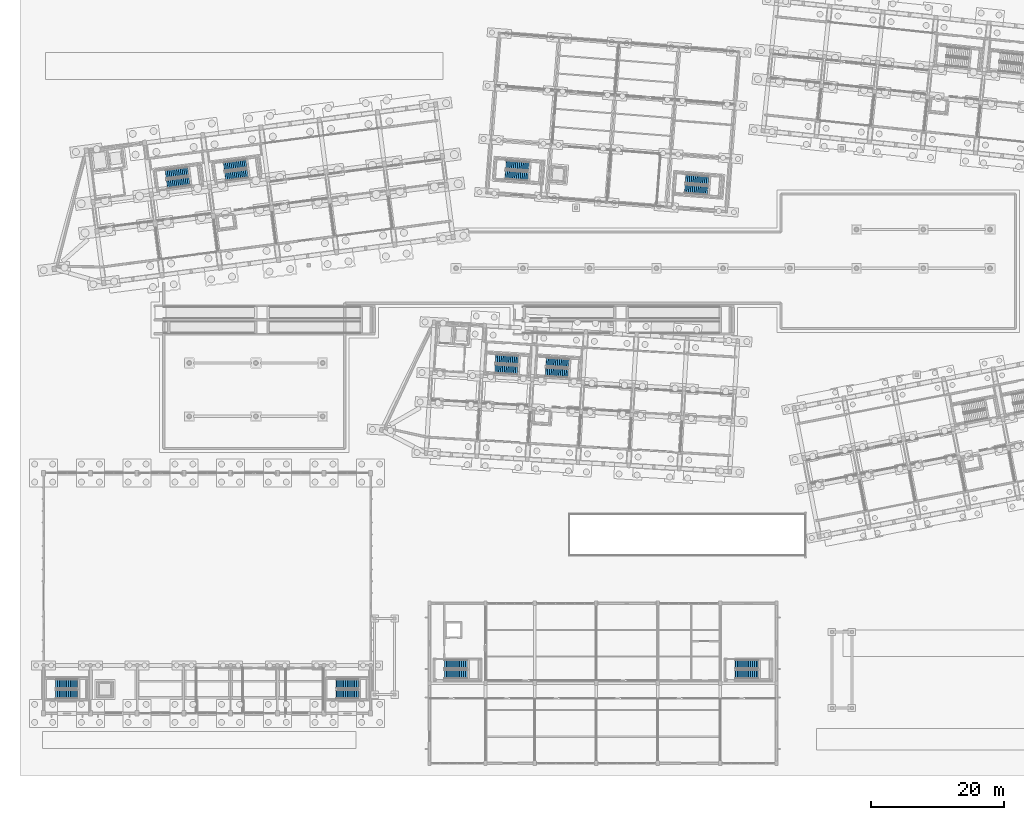
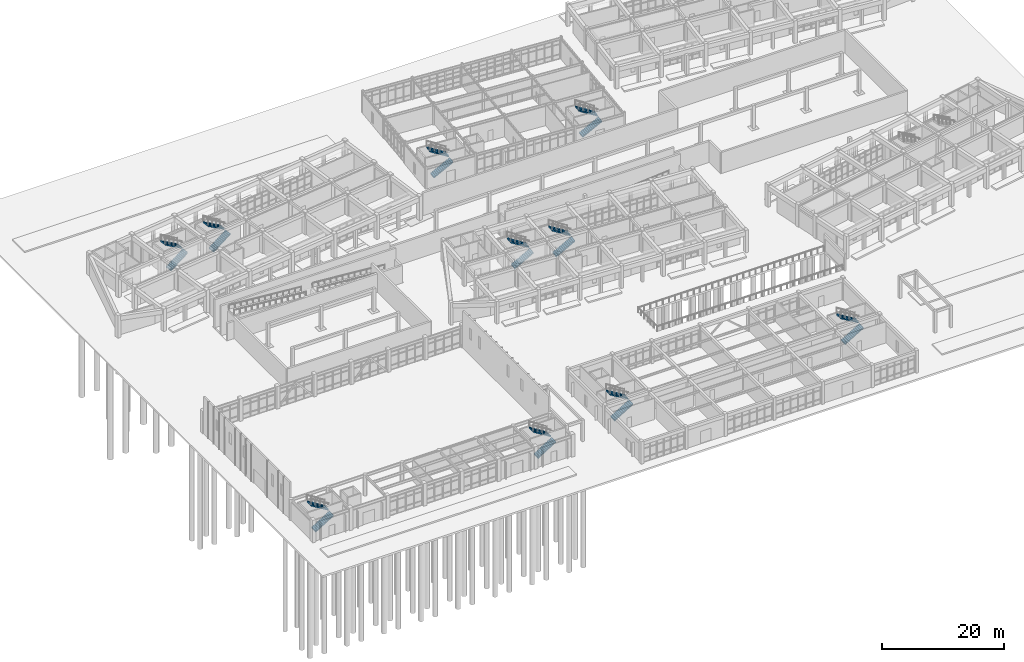
# One storey, part 131 of 154: 20 stair flights, 10 elements without a shape of their own.
"""IFC4 building model written with IfcOpenShell, lengths in metres."""

from ifc_helpers import new_model, si_unit, direction, frame, origin, place, context, subcontext, project, spatial, polyline, outline, extrude, material, type_object, element, aggregate, save


model = new_model("IFC4")

# Units and contexts
model_context = context("Model", 3, precision=1e-05, world=origin(), true_north=direction((0.0, 1.0)))
body_context = subcontext(model_context, "Body", "Model", "MODEL_VIEW")
ifc_project = project(units=[si_unit("LENGTHUNIT", "METRE"), si_unit("AREAUNIT", "SQUARE_METRE"), si_unit("VOLUMEUNIT", "CUBIC_METRE"), si_unit("PLANEANGLEUNIT", "RADIAN"), si_unit("MASSUNIT", "GRAM", prefix="KILO")], contexts=[model_context])

# Site, building, storey
site_placement = place(None, origin())
site = spatial("IfcSite", under=ifc_project, at=site_placement, CompositionType="ELEMENT")
building_placement = place(site_placement, origin())
building = spatial("IfcBuilding", under=site, at=building_placement, Name="Kestramere Prow Commons", CompositionType="ELEMENT")
storey_placement = place(building_placement, origin())
storey = spatial("IfcBuildingStorey", under=building, at=storey_placement, Name="L00", CompositionType="ELEMENT", Elevation=0.0)

# Stair, stair flights
ifc_material = material(Name="Concrete C40/50", Category="concrete")
stair_type_1 = type_object("IfcStairType", Name="ST-DOG-1350", PredefinedType="HALF_TURN_STAIR", material=ifc_material)
stair_1_placement = place(storey_placement, origin())
stair_1 = element("IfcStair", 1, at=stair_1_placement, inside=storey, type_object=stair_type_1, Name="L00 Block A Exit Stair 1", PredefinedType="HALF_TURN_STAIR")
stair_flight_type_1 = type_object("IfcStairFlightType", Name="SFL-1350", PredefinedType="STRAIGHT", material=ifc_material)
stair_flight_1_placement = place(storey_placement, frame((20.70068359375, 86.79150390625, 0.0), z_axis=(0.0, 0.0, 1.0), x_axis=(0.991444861374, 0.13052619222, 0.0)))
stair_flight_1 = element("IfcStairFlight", 2, at=stair_flight_1_placement, type_object=stair_flight_type_1, Name="ST-A1 flight 1", NumberOfRisers=13, NumberOfTreads=12, PredefinedType="STRAIGHT", RiserHeight=0.173076923, TreadLength=0.28, context=body_context, shape_type="SweptSolid", body=[
    extrude(outline(polyline([(-0.02490234375, 0.0), (0.0, 0.0), (0.0, 0.173095703125), (0.280029296875, 0.173095703125), (0.280029296875, 0.34619140625), (0.56005859375, 0.34619140625), (0.56005859375, 0.519287109375), (0.840087890625, 0.519287109375), (0.840087890625, 0.6923828125), (1.1201171875, 0.6923828125), (1.1201171875, 0.865478515625), (1.39990234375, 0.865478515625), (1.39990234375, 1.03857421875), (1.679931640625, 1.03857421875), (1.679931640625, 1.21142578125), (1.9599609375, 1.21142578125), (1.9599609375, 1.384521484375), (2.239990234375, 1.384521484375), (2.239990234375, 1.5576171875), (2.52001953125, 1.5576171875), (2.52001953125, 1.730712890625), (2.800048828125, 1.730712890625), (2.800048828125, 1.90380859375), (3.080078125, 1.90380859375), (3.080078125, 2.076904296875), (3.360107421875, 2.076904296875), (3.360107421875, 2.25), (3.385009765625, 2.25), (3.385009765625, 1.900634765625), (0.0, -0.14990234375), (-0.02490234375, -0.14990234375), (-0.02490234375, 0.0)])), frame((0.0, 0.675048828125, 0.0), z_axis=(0.0, -1.0, 0.0), x_axis=(1.0, 0.0, 0.0)), (0.0, 0.0, 1.0), 1.35009765625),
])
stair_flight_2_placement = place(storey_placement, frame((23.8359375, 88.71728515625, 2.25), z_axis=(0.0, 0.0, 1.0), x_axis=(-0.991444861374, -0.13052619222, 0.0)))
stair_flight_2 = element("IfcStairFlight", 3, at=stair_flight_2_placement, type_object=stair_flight_type_1, Name="ST-A1 flight 2", NumberOfRisers=13, NumberOfTreads=12, PredefinedType="STRAIGHT", RiserHeight=0.173076923, TreadLength=0.28, context=body_context, shape_type="SweptSolid", body=[
    extrude(outline(polyline([(-0.02490234375, 0.0), (0.0, 0.0), (0.0, 0.173095703125), (0.280029296875, 0.173095703125), (0.280029296875, 0.34619140625), (0.56005859375, 0.34619140625), (0.56005859375, 0.519287109375), (0.840087890625, 0.519287109375), (0.840087890625, 0.6923828125), (1.1201171875, 0.6923828125), (1.1201171875, 0.865478515625), (1.39990234375, 0.865478515625), (1.39990234375, 1.03857421875), (1.679931640625, 1.03857421875), (1.679931640625, 1.21142578125), (1.9599609375, 1.21142578125), (1.9599609375, 1.384521484375), (2.239990234375, 1.384521484375), (2.239990234375, 1.5576171875), (2.52001953125, 1.5576171875), (2.52001953125, 1.730712890625), (2.800048828125, 1.730712890625), (2.800048828125, 1.90380859375), (3.080078125, 1.90380859375), (3.080078125, 2.076904296875), (3.360107421875, 2.076904296875), (3.360107421875, 2.25), (3.385009765625, 2.25), (3.385009765625, 1.900634765625), (0.0, -0.14990234375), (-0.02490234375, -0.14990234375), (-0.02490234375, 0.0)])), frame((0.0, 0.675048828125, 0.0), z_axis=(0.0, -1.0, 0.0), x_axis=(1.0, 0.0, 0.0)), (0.0, 0.0, 1.0), 1.35009765625),
])
aggregate(stair_1, [stair_flight_1, stair_flight_2])

stair_2_placement = place(storey_placement, origin())
stair_2 = element("IfcStair", 4, at=stair_2_placement, inside=storey, type_object=stair_type_1, Name="L00 Block A Exit Stair 2", PredefinedType="HALF_TURN_STAIR")
stair_flight_3_placement = place(storey_placement, frame((29.42529296875, 87.940185546875, 0.0), z_axis=(0.0, 0.0, 1.0), x_axis=(0.991444861374, 0.13052619222, 0.0)))
stair_flight_3 = element("IfcStairFlight", 5, at=stair_flight_3_placement, type_object=stair_flight_type_1, Name="ST-A2 flight 1", NumberOfRisers=13, NumberOfTreads=12, PredefinedType="STRAIGHT", RiserHeight=0.173076923, TreadLength=0.28, context=body_context, shape_type="SweptSolid", body=[
    extrude(outline(polyline([(-0.02490234375, 0.0), (0.0, 0.0), (0.0, 0.173095703125), (0.280029296875, 0.173095703125), (0.280029296875, 0.34619140625), (0.56005859375, 0.34619140625), (0.56005859375, 0.519287109375), (0.840087890625, 0.519287109375), (0.840087890625, 0.6923828125), (1.1201171875, 0.6923828125), (1.1201171875, 0.865478515625), (1.39990234375, 0.865478515625), (1.39990234375, 1.03857421875), (1.679931640625, 1.03857421875), (1.679931640625, 1.21142578125), (1.9599609375, 1.21142578125), (1.9599609375, 1.384521484375), (2.239990234375, 1.384521484375), (2.239990234375, 1.5576171875), (2.52001953125, 1.5576171875), (2.52001953125, 1.730712890625), (2.800048828125, 1.730712890625), (2.800048828125, 1.90380859375), (3.080078125, 1.90380859375), (3.080078125, 2.076904296875), (3.360107421875, 2.076904296875), (3.360107421875, 2.25), (3.385009765625, 2.25), (3.385009765625, 1.900634765625), (0.0, -0.14990234375), (-0.02490234375, -0.14990234375), (-0.02490234375, 0.0)])), frame((0.0, 0.675048828125, 0.0), z_axis=(0.0, -1.0, 0.0), x_axis=(1.0, 0.0, 0.0)), (0.0, 0.0, 1.0), 1.35009765625),
])
stair_flight_4_placement = place(storey_placement, frame((32.560791015625, 89.865966796875, 2.25), z_axis=(0.0, 0.0, 1.0), x_axis=(-0.991444861374, -0.13052619222, 0.0)))
stair_flight_4 = element("IfcStairFlight", 6, at=stair_flight_4_placement, type_object=stair_flight_type_1, Name="ST-A2 flight 2", NumberOfRisers=13, NumberOfTreads=12, PredefinedType="STRAIGHT", RiserHeight=0.173076923, TreadLength=0.28, context=body_context, shape_type="SweptSolid", body=[
    extrude(outline(polyline([(-0.02490234375, 0.0), (0.0, 0.0), (0.0, 0.173095703125), (0.280029296875, 0.173095703125), (0.280029296875, 0.34619140625), (0.56005859375, 0.34619140625), (0.56005859375, 0.519287109375), (0.840087890625, 0.519287109375), (0.840087890625, 0.6923828125), (1.1201171875, 0.6923828125), (1.1201171875, 0.865478515625), (1.39990234375, 0.865478515625), (1.39990234375, 1.03857421875), (1.679931640625, 1.03857421875), (1.679931640625, 1.21142578125), (1.9599609375, 1.21142578125), (1.9599609375, 1.384521484375), (2.239990234375, 1.384521484375), (2.239990234375, 1.5576171875), (2.52001953125, 1.5576171875), (2.52001953125, 1.730712890625), (2.800048828125, 1.730712890625), (2.800048828125, 1.90380859375), (3.080078125, 1.90380859375), (3.080078125, 2.076904296875), (3.360107421875, 2.076904296875), (3.360107421875, 2.25), (3.385009765625, 2.25), (3.385009765625, 1.900634765625), (0.0, -0.14990234375), (-0.02490234375, -0.14990234375), (-0.02490234375, 0.0)])), frame((0.0, 0.675048828125, 0.0), z_axis=(0.0, -1.0, 0.0), x_axis=(1.0, 0.0, 0.0)), (0.0, 0.0, 1.0), 1.35009765625),
])
aggregate(stair_2, [stair_flight_3, stair_flight_4])

stair_3_placement = place(storey_placement, origin())
stair_3 = element("IfcStair", 7, at=stair_3_placement, inside=storey, type_object=stair_type_1, Name="L00 Block C Exit Stair 1", PredefinedType="HALF_TURN_STAIR")
stair_flight_5_placement = place(storey_placement, frame((69.839599609375, 59.117431640625, 0.0), z_axis=(0.0, 0.0, 1.0), x_axis=(0.998134798422, -0.061048539535, 0.0)))
stair_flight_5 = element("IfcStairFlight", 8, at=stair_flight_5_placement, type_object=stair_flight_type_1, Name="ST-C1 flight 1", NumberOfRisers=13, NumberOfTreads=12, PredefinedType="STRAIGHT", RiserHeight=0.173076923, TreadLength=0.28, context=body_context, shape_type="SweptSolid", body=[
    extrude(outline(polyline([(-0.02490234375, 0.0), (0.0, 0.0), (0.0, 0.173095703125), (0.280029296875, 0.173095703125), (0.280029296875, 0.34619140625), (0.56005859375, 0.34619140625), (0.56005859375, 0.519287109375), (0.840087890625, 0.519287109375), (0.840087890625, 0.6923828125), (1.1201171875, 0.6923828125), (1.1201171875, 0.865478515625), (1.39990234375, 0.865478515625), (1.39990234375, 1.03857421875), (1.679931640625, 1.03857421875), (1.679931640625, 1.21142578125), (1.9599609375, 1.21142578125), (1.9599609375, 1.384521484375), (2.239990234375, 1.384521484375), (2.239990234375, 1.5576171875), (2.52001953125, 1.5576171875), (2.52001953125, 1.730712890625), (2.800048828125, 1.730712890625), (2.800048828125, 1.90380859375), (3.080078125, 1.90380859375), (3.080078125, 2.076904296875), (3.360107421875, 2.076904296875), (3.360107421875, 2.25), (3.385009765625, 2.25), (3.385009765625, 1.900634765625), (0.0, -0.14990234375), (-0.02490234375, -0.14990234375), (-0.02490234375, 0.0)])), frame((0.0, 0.675048828125, 0.0), z_axis=(0.0, -1.0, 0.0), x_axis=(1.0, 0.0, 0.0)), (0.0, 0.0, 1.0), 1.35009765625),
])
stair_flight_6_placement = place(storey_placement, frame((73.284912109375, 60.409423828125, 2.25), z_axis=(0.0, 0.0, 1.0), x_axis=(-0.998134798422, 0.061048539535, 0.0)))
stair_flight_6 = element("IfcStairFlight", 9, at=stair_flight_6_placement, type_object=stair_flight_type_1, Name="ST-C1 flight 2", NumberOfRisers=13, NumberOfTreads=12, PredefinedType="STRAIGHT", RiserHeight=0.173076923, TreadLength=0.28, context=body_context, shape_type="SweptSolid", body=[
    extrude(outline(polyline([(-0.02490234375, 0.0), (0.0, 0.0), (0.0, 0.173095703125), (0.280029296875, 0.173095703125), (0.280029296875, 0.34619140625), (0.56005859375, 0.34619140625), (0.56005859375, 0.519287109375), (0.840087890625, 0.519287109375), (0.840087890625, 0.6923828125), (1.1201171875, 0.6923828125), (1.1201171875, 0.865478515625), (1.39990234375, 0.865478515625), (1.39990234375, 1.03857421875), (1.679931640625, 1.03857421875), (1.679931640625, 1.21142578125), (1.9599609375, 1.21142578125), (1.9599609375, 1.384521484375), (2.239990234375, 1.384521484375), (2.239990234375, 1.5576171875), (2.52001953125, 1.5576171875), (2.52001953125, 1.730712890625), (2.800048828125, 1.730712890625), (2.800048828125, 1.90380859375), (3.080078125, 1.90380859375), (3.080078125, 2.076904296875), (3.360107421875, 2.076904296875), (3.360107421875, 2.25), (3.385009765625, 2.25), (3.385009765625, 1.900634765625), (0.0, -0.14990234375), (-0.02490234375, -0.14990234375), (-0.02490234375, 0.0)])), frame((0.0, 0.675048828125, 0.0), z_axis=(0.0, -1.0, 0.0), x_axis=(1.0, 0.0, 0.0)), (0.0, 0.0, 1.0), 1.35009765625),
])
aggregate(stair_3, [stair_flight_5, stair_flight_6])

stair_4_placement = place(storey_placement, origin())
stair_4 = element("IfcStair", 10, at=stair_4_placement, inside=storey, type_object=stair_type_1, Name="L00 Block C Exit Stair 2", PredefinedType="HALF_TURN_STAIR")
stair_flight_7_placement = place(storey_placement, frame((77.42529296875, 58.6533203125, 0.0), z_axis=(0.0, 0.0, 1.0), x_axis=(0.998134798422, -0.061048539535, 0.0)))
stair_flight_7 = element("IfcStairFlight", 11, at=stair_flight_7_placement, type_object=stair_flight_type_1, Name="ST-C2 flight 1", NumberOfRisers=13, NumberOfTreads=12, PredefinedType="STRAIGHT", RiserHeight=0.173076923, TreadLength=0.28, context=body_context, shape_type="SweptSolid", body=[
    extrude(outline(polyline([(-0.02490234375, 0.0), (0.0, 0.0), (0.0, 0.173095703125), (0.280029296875, 0.173095703125), (0.280029296875, 0.34619140625), (0.56005859375, 0.34619140625), (0.56005859375, 0.519287109375), (0.840087890625, 0.519287109375), (0.840087890625, 0.6923828125), (1.1201171875, 0.6923828125), (1.1201171875, 0.865478515625), (1.39990234375, 0.865478515625), (1.39990234375, 1.03857421875), (1.679931640625, 1.03857421875), (1.679931640625, 1.21142578125), (1.9599609375, 1.21142578125), (1.9599609375, 1.384521484375), (2.239990234375, 1.384521484375), (2.239990234375, 1.5576171875), (2.52001953125, 1.5576171875), (2.52001953125, 1.730712890625), (2.800048828125, 1.730712890625), (2.800048828125, 1.90380859375), (3.080078125, 1.90380859375), (3.080078125, 2.076904296875), (3.360107421875, 2.076904296875), (3.360107421875, 2.25), (3.385009765625, 2.25), (3.385009765625, 1.900634765625), (0.0, -0.14990234375), (-0.02490234375, -0.14990234375), (-0.02490234375, 0.0)])), frame((0.0, 0.675048828125, 0.0), z_axis=(0.0, -1.0, 0.0), x_axis=(1.0, 0.0, 0.0)), (0.0, 0.0, 1.0), 1.35009765625),
])
stair_flight_8_placement = place(storey_placement, frame((80.87060546875, 59.9453125, 2.25), z_axis=(0.0, 0.0, 1.0), x_axis=(-0.998134798422, 0.061048539535, 0.0)))
stair_flight_8 = element("IfcStairFlight", 12, at=stair_flight_8_placement, type_object=stair_flight_type_1, Name="ST-C2 flight 2", NumberOfRisers=13, NumberOfTreads=12, PredefinedType="STRAIGHT", RiserHeight=0.173076923, TreadLength=0.28, context=body_context, shape_type="SweptSolid", body=[
    extrude(outline(polyline([(-0.02490234375, 0.0), (0.0, 0.0), (0.0, 0.173095703125), (0.280029296875, 0.173095703125), (0.280029296875, 0.34619140625), (0.56005859375, 0.34619140625), (0.56005859375, 0.519287109375), (0.840087890625, 0.519287109375), (0.840087890625, 0.6923828125), (1.1201171875, 0.6923828125), (1.1201171875, 0.865478515625), (1.39990234375, 0.865478515625), (1.39990234375, 1.03857421875), (1.679931640625, 1.03857421875), (1.679931640625, 1.21142578125), (1.9599609375, 1.21142578125), (1.9599609375, 1.384521484375), (2.239990234375, 1.384521484375), (2.239990234375, 1.5576171875), (2.52001953125, 1.5576171875), (2.52001953125, 1.730712890625), (2.800048828125, 1.730712890625), (2.800048828125, 1.90380859375), (3.080078125, 1.90380859375), (3.080078125, 2.076904296875), (3.360107421875, 2.076904296875), (3.360107421875, 2.25), (3.385009765625, 2.25), (3.385009765625, 1.900634765625), (0.0, -0.14990234375), (-0.02490234375, -0.14990234375), (-0.02490234375, 0.0)])), frame((0.0, 0.675048828125, 0.0), z_axis=(0.0, -1.0, 0.0), x_axis=(1.0, 0.0, 0.0)), (0.0, 0.0, 1.0), 1.35009765625),
])
aggregate(stair_4, [stair_flight_7, stair_flight_8])

stair_5_placement = place(storey_placement, origin())
stair_5 = element("IfcStair", 13, at=stair_5_placement, inside=storey, type_object=stair_type_1, Name="L00 Nursery Pavilion Exit Stair 1", PredefinedType="HALF_TURN_STAIR")
stair_flight_9_placement = place(storey_placement, frame((71.37158203125, 88.2158203125, 0.0), z_axis=(0.0, 0.0, 1.0), x_axis=(0.996917333733, -0.078459095728, 0.0)))
stair_flight_9 = element("IfcStairFlight", 14, at=stair_flight_9_placement, type_object=stair_flight_type_1, Name="ST-N1 flight 1", NumberOfRisers=13, NumberOfTreads=12, PredefinedType="STRAIGHT", RiserHeight=0.173076923, TreadLength=0.285, context=body_context, shape_type="SweptSolid", body=[
    extrude(outline(polyline([(-0.02490234375, 0.0), (0.0, 0.0), (0.0, 0.173095703125), (0.284912109375, 0.173095703125), (0.284912109375, 0.34619140625), (0.570068359375, 0.34619140625), (0.570068359375, 0.519287109375), (0.85498046875, 0.519287109375), (0.85498046875, 0.6923828125), (1.139892578125, 0.6923828125), (1.139892578125, 0.865478515625), (1.425048828125, 0.865478515625), (1.425048828125, 1.03857421875), (1.7099609375, 1.03857421875), (1.7099609375, 1.21142578125), (1.9951171875, 1.21142578125), (1.9951171875, 1.384521484375), (2.280029296875, 1.384521484375), (2.280029296875, 1.5576171875), (2.56494140625, 1.5576171875), (2.56494140625, 1.730712890625), (2.85009765625, 1.730712890625), (2.85009765625, 1.90380859375), (3.135009765625, 1.90380859375), (3.135009765625, 2.076904296875), (3.419921875, 2.076904296875), (3.419921875, 2.25), (3.44482421875, 2.25), (3.44482421875, 1.901611328125), (0.0, -0.14990234375), (-0.02490234375, -0.14990234375), (-0.02490234375, 0.0)])), frame((0.0, 0.675048828125, 0.0), z_axis=(0.0, -1.0, 0.0), x_axis=(1.0, 0.0, 0.0)), (0.0, 0.0, 1.0), 1.35009765625),
])
stair_flight_10_placement = place(storey_placement, frame((74.898681640625, 89.44287109375, 2.25), z_axis=(0.0, 0.0, 1.0), x_axis=(-0.996917333733, 0.078459095728, 0.0)))
stair_flight_10 = element("IfcStairFlight", 15, at=stair_flight_10_placement, type_object=stair_flight_type_1, Name="ST-N1 flight 2", NumberOfRisers=13, NumberOfTreads=12, PredefinedType="STRAIGHT", RiserHeight=0.173076923, TreadLength=0.285, context=body_context, shape_type="SweptSolid", body=[
    extrude(outline(polyline([(-0.02490234375, 0.0), (0.0, 0.0), (0.0, 0.173095703125), (0.284912109375, 0.173095703125), (0.284912109375, 0.34619140625), (0.570068359375, 0.34619140625), (0.570068359375, 0.519287109375), (0.85498046875, 0.519287109375), (0.85498046875, 0.6923828125), (1.139892578125, 0.6923828125), (1.139892578125, 0.865478515625), (1.425048828125, 0.865478515625), (1.425048828125, 1.03857421875), (1.7099609375, 1.03857421875), (1.7099609375, 1.21142578125), (1.9951171875, 1.21142578125), (1.9951171875, 1.384521484375), (2.280029296875, 1.384521484375), (2.280029296875, 1.5576171875), (2.56494140625, 1.5576171875), (2.56494140625, 1.730712890625), (2.85009765625, 1.730712890625), (2.85009765625, 1.90380859375), (3.135009765625, 1.90380859375), (3.135009765625, 2.076904296875), (3.419921875, 2.076904296875), (3.419921875, 2.25), (3.44482421875, 2.25), (3.44482421875, 1.901611328125), (0.0, -0.14990234375), (-0.02490234375, -0.14990234375), (-0.02490234375, 0.0)])), frame((0.0, 0.675048828125, 0.0), z_axis=(0.0, -1.0, 0.0), x_axis=(1.0, 0.0, 0.0)), (0.0, 0.0, 1.0), 1.35009765625),
])
aggregate(stair_5, [stair_flight_9, stair_flight_10])

stair_6_placement = place(storey_placement, origin())
stair_6 = element("IfcStair", 16, at=stair_6_placement, inside=storey, type_object=stair_type_1, Name="L00 Nursery Pavilion Exit Stair 2", PredefinedType="HALF_TURN_STAIR")
stair_flight_11_placement = place(storey_placement, frame((98.288330078125, 86.097412109375, 0.0), z_axis=(0.0, 0.0, 1.0), x_axis=(0.996917333733, -0.078459095728, 0.0)))
stair_flight_11 = element("IfcStairFlight", 17, at=stair_flight_11_placement, type_object=stair_flight_type_1, Name="ST-N2 flight 1", NumberOfRisers=13, NumberOfTreads=12, PredefinedType="STRAIGHT", RiserHeight=0.173076923, TreadLength=0.285, context=body_context, shape_type="SweptSolid", body=[
    extrude(outline(polyline([(-0.02490234375, 0.0), (0.0, 0.0), (0.0, 0.173095703125), (0.284912109375, 0.173095703125), (0.284912109375, 0.34619140625), (0.570068359375, 0.34619140625), (0.570068359375, 0.519287109375), (0.85498046875, 0.519287109375), (0.85498046875, 0.6923828125), (1.139892578125, 0.6923828125), (1.139892578125, 0.865478515625), (1.425048828125, 0.865478515625), (1.425048828125, 1.03857421875), (1.7099609375, 1.03857421875), (1.7099609375, 1.21142578125), (1.9951171875, 1.21142578125), (1.9951171875, 1.384521484375), (2.280029296875, 1.384521484375), (2.280029296875, 1.5576171875), (2.56494140625, 1.5576171875), (2.56494140625, 1.730712890625), (2.85009765625, 1.730712890625), (2.85009765625, 1.90380859375), (3.135009765625, 1.90380859375), (3.135009765625, 2.076904296875), (3.419921875, 2.076904296875), (3.419921875, 2.25), (3.44482421875, 2.25), (3.44482421875, 1.901611328125), (0.0, -0.14990234375), (-0.02490234375, -0.14990234375), (-0.02490234375, 0.0)])), frame((0.0, 0.675048828125, 0.0), z_axis=(0.0, -1.0, 0.0), x_axis=(1.0, 0.0, 0.0)), (0.0, 0.0, 1.0), 1.35009765625),
])
stair_flight_12_placement = place(storey_placement, frame((101.8154296875, 87.324462890625, 2.25), z_axis=(0.0, 0.0, 1.0), x_axis=(-0.996917333733, 0.078459095728, 0.0)))
stair_flight_12 = element("IfcStairFlight", 18, at=stair_flight_12_placement, type_object=stair_flight_type_1, Name="ST-N2 flight 2", NumberOfRisers=13, NumberOfTreads=12, PredefinedType="STRAIGHT", RiserHeight=0.173076923, TreadLength=0.285, context=body_context, shape_type="SweptSolid", body=[
    extrude(outline(polyline([(-0.02490234375, 0.0), (0.0, 0.0), (0.0, 0.173095703125), (0.284912109375, 0.173095703125), (0.284912109375, 0.34619140625), (0.570068359375, 0.34619140625), (0.570068359375, 0.519287109375), (0.85498046875, 0.519287109375), (0.85498046875, 0.6923828125), (1.139892578125, 0.6923828125), (1.139892578125, 0.865478515625), (1.425048828125, 0.865478515625), (1.425048828125, 1.03857421875), (1.7099609375, 1.03857421875), (1.7099609375, 1.21142578125), (1.9951171875, 1.21142578125), (1.9951171875, 1.384521484375), (2.280029296875, 1.384521484375), (2.280029296875, 1.5576171875), (2.56494140625, 1.5576171875), (2.56494140625, 1.730712890625), (2.85009765625, 1.730712890625), (2.85009765625, 1.90380859375), (3.135009765625, 1.90380859375), (3.135009765625, 2.076904296875), (3.419921875, 2.076904296875), (3.419921875, 2.25), (3.44482421875, 2.25), (3.44482421875, 1.901611328125), (0.0, -0.14990234375), (-0.02490234375, -0.14990234375), (-0.02490234375, 0.0)])), frame((0.0, 0.675048828125, 0.0), z_axis=(0.0, -1.0, 0.0), x_axis=(1.0, 0.0, 0.0)), (0.0, 0.0, 1.0), 1.35009765625),
])
aggregate(stair_6, [stair_flight_11, stair_flight_12])

stair_7_placement = place(storey_placement, origin())
stair_7 = element("IfcStair", 19, at=stair_7_placement, inside=storey, type_object=stair_type_1, Name="L00 Market and Car Park Exit Stair 1", PredefinedType="HALF_TURN_STAIR")
stair_flight_13_placement = place(storey_placement, frame((62.25, 13.324951171875, 0.0), z_axis=(0.0, 0.0, 1.0), x_axis=(1.0, 0.0, 0.0)))
stair_flight_13 = element("IfcStairFlight", 20, at=stair_flight_13_placement, type_object=stair_flight_type_1, Name="ST-M1 flight 1", NumberOfRisers=13, NumberOfTreads=12, PredefinedType="STRAIGHT", RiserHeight=0.173076923, TreadLength=0.285, context=body_context, shape_type="SweptSolid", body=[
    extrude(outline(polyline([(-0.02490234375, 0.0), (0.0, 0.0), (0.0, 0.173095703125), (0.284912109375, 0.173095703125), (0.284912109375, 0.34619140625), (0.570068359375, 0.34619140625), (0.570068359375, 0.519287109375), (0.85498046875, 0.519287109375), (0.85498046875, 0.6923828125), (1.139892578125, 0.6923828125), (1.139892578125, 0.865478515625), (1.425048828125, 0.865478515625), (1.425048828125, 1.03857421875), (1.7099609375, 1.03857421875), (1.7099609375, 1.21142578125), (1.9951171875, 1.21142578125), (1.9951171875, 1.384521484375), (2.280029296875, 1.384521484375), (2.280029296875, 1.5576171875), (2.56494140625, 1.5576171875), (2.56494140625, 1.730712890625), (2.85009765625, 1.730712890625), (2.85009765625, 1.90380859375), (3.135009765625, 1.90380859375), (3.135009765625, 2.076904296875), (3.419921875, 2.076904296875), (3.419921875, 2.25), (3.44482421875, 2.25), (3.44482421875, 1.901611328125), (0.0, -0.14990234375), (-0.02490234375, -0.14990234375), (-0.02490234375, 0.0)])), frame((0.0, 0.675048828125, 0.0), z_axis=(0.0, -1.0, 0.0), x_axis=(1.0, 0.0, 0.0)), (0.0, 0.0, 1.0), 1.35009765625),
])
stair_flight_14_placement = place(storey_placement, frame((65.669921875, 14.824951171875, 2.25), z_axis=(0.0, 0.0, 1.0), x_axis=(-1.0, 0.0, 0.0)))
stair_flight_14 = element("IfcStairFlight", 21, at=stair_flight_14_placement, type_object=stair_flight_type_1, Name="ST-M1 flight 2", NumberOfRisers=13, NumberOfTreads=12, PredefinedType="STRAIGHT", RiserHeight=0.173076923, TreadLength=0.285, context=body_context, shape_type="SweptSolid", body=[
    extrude(outline(polyline([(-0.02490234375, 0.0), (0.0, 0.0), (0.0, 0.173095703125), (0.284912109375, 0.173095703125), (0.284912109375, 0.34619140625), (0.570068359375, 0.34619140625), (0.570068359375, 0.519287109375), (0.85498046875, 0.519287109375), (0.85498046875, 0.6923828125), (1.139892578125, 0.6923828125), (1.139892578125, 0.865478515625), (1.425048828125, 0.865478515625), (1.425048828125, 1.03857421875), (1.7099609375, 1.03857421875), (1.7099609375, 1.21142578125), (1.9951171875, 1.21142578125), (1.9951171875, 1.384521484375), (2.280029296875, 1.384521484375), (2.280029296875, 1.5576171875), (2.56494140625, 1.5576171875), (2.56494140625, 1.730712890625), (2.85009765625, 1.730712890625), (2.85009765625, 1.90380859375), (3.135009765625, 1.90380859375), (3.135009765625, 2.076904296875), (3.419921875, 2.076904296875), (3.419921875, 2.25), (3.44482421875, 2.25), (3.44482421875, 1.901611328125), (0.0, -0.14990234375), (-0.02490234375, -0.14990234375), (-0.02490234375, 0.0)])), frame((0.0, 0.675048828125, 0.0), z_axis=(0.0, -1.0, 0.0), x_axis=(1.0, 0.0, 0.0)), (0.0, 0.0, 1.0), 1.35009765625),
])
aggregate(stair_7, [stair_flight_13, stair_flight_14])

stair_8_placement = place(storey_placement, origin())
stair_8 = element("IfcStair", 22, at=stair_8_placement, inside=storey, type_object=stair_type_1, Name="L00 Market and Car Park Exit Stair 2", PredefinedType="HALF_TURN_STAIR")
stair_flight_15_placement = place(storey_placement, frame((105.85009765625, 13.324951171875, 0.0), z_axis=(0.0, 0.0, 1.0), x_axis=(1.0, 0.0, 0.0)))
stair_flight_15 = element("IfcStairFlight", 23, at=stair_flight_15_placement, type_object=stair_flight_type_1, Name="ST-M2 flight 1", NumberOfRisers=13, NumberOfTreads=12, PredefinedType="STRAIGHT", RiserHeight=0.173076923, TreadLength=0.285, context=body_context, shape_type="SweptSolid", body=[
    extrude(outline(polyline([(-0.02490234375, 0.0), (0.0, 0.0), (0.0, 0.173095703125), (0.284912109375, 0.173095703125), (0.284912109375, 0.34619140625), (0.570068359375, 0.34619140625), (0.570068359375, 0.519287109375), (0.85498046875, 0.519287109375), (0.85498046875, 0.6923828125), (1.139892578125, 0.6923828125), (1.139892578125, 0.865478515625), (1.425048828125, 0.865478515625), (1.425048828125, 1.03857421875), (1.7099609375, 1.03857421875), (1.7099609375, 1.21142578125), (1.9951171875, 1.21142578125), (1.9951171875, 1.384521484375), (2.280029296875, 1.384521484375), (2.280029296875, 1.5576171875), (2.56494140625, 1.5576171875), (2.56494140625, 1.730712890625), (2.85009765625, 1.730712890625), (2.85009765625, 1.90380859375), (3.135009765625, 1.90380859375), (3.135009765625, 2.076904296875), (3.419921875, 2.076904296875), (3.419921875, 2.25), (3.44482421875, 2.25), (3.44482421875, 1.901611328125), (0.0, -0.14990234375), (-0.02490234375, -0.14990234375), (-0.02490234375, 0.0)])), frame((0.0, 0.675048828125, 0.0), z_axis=(0.0, -1.0, 0.0), x_axis=(1.0, 0.0, 0.0)), (0.0, 0.0, 1.0), 1.35009765625),
])
stair_flight_16_placement = place(storey_placement, frame((109.27001953125, 14.824951171875, 2.25), z_axis=(0.0, 0.0, 1.0), x_axis=(-1.0, 0.0, 0.0)))
stair_flight_16 = element("IfcStairFlight", 24, at=stair_flight_16_placement, type_object=stair_flight_type_1, Name="ST-M2 flight 2", NumberOfRisers=13, NumberOfTreads=12, PredefinedType="STRAIGHT", RiserHeight=0.173076923, TreadLength=0.285, context=body_context, shape_type="SweptSolid", body=[
    extrude(outline(polyline([(-0.02490234375, 0.0), (0.0, 0.0), (0.0, 0.173095703125), (0.284912109375, 0.173095703125), (0.284912109375, 0.34619140625), (0.570068359375, 0.34619140625), (0.570068359375, 0.519287109375), (0.85498046875, 0.519287109375), (0.85498046875, 0.6923828125), (1.139892578125, 0.6923828125), (1.139892578125, 0.865478515625), (1.425048828125, 0.865478515625), (1.425048828125, 1.03857421875), (1.7099609375, 1.03857421875), (1.7099609375, 1.21142578125), (1.9951171875, 1.21142578125), (1.9951171875, 1.384521484375), (2.280029296875, 1.384521484375), (2.280029296875, 1.5576171875), (2.56494140625, 1.5576171875), (2.56494140625, 1.730712890625), (2.85009765625, 1.730712890625), (2.85009765625, 1.90380859375), (3.135009765625, 1.90380859375), (3.135009765625, 2.076904296875), (3.419921875, 2.076904296875), (3.419921875, 2.25), (3.44482421875, 2.25), (3.44482421875, 1.901611328125), (0.0, -0.14990234375), (-0.02490234375, -0.14990234375), (-0.02490234375, 0.0)])), frame((0.0, 0.675048828125, 0.0), z_axis=(0.0, -1.0, 0.0), x_axis=(1.0, 0.0, 0.0)), (0.0, 0.0, 1.0), 1.35009765625),
])
aggregate(stair_8, [stair_flight_15, stair_flight_16])

stair_type_2 = type_object("IfcStairType", Name="ST-DOG-1400", PredefinedType="HALF_TURN_STAIR", material=ifc_material)
stair_9_placement = place(storey_placement, origin())
stair_9 = element("IfcStair", 25, at=stair_9_placement, inside=storey, type_object=stair_type_2, Name="L00 Community Hall Exit Stair 1", PredefinedType="HALF_TURN_STAIR")
stair_flight_type_2 = type_object("IfcStairFlightType", Name="SFL-1400", PredefinedType="STRAIGHT", material=ifc_material)
stair_flight_17_placement = place(storey_placement, frame((4.0, 10.35009765625, 0.0), z_axis=(0.0, 0.0, 1.0), x_axis=(1.0, 0.0, 0.0)))
stair_flight_17 = element("IfcStairFlight", 26, at=stair_flight_17_placement, type_object=stair_flight_type_2, Name="ST-H1 flight 1", NumberOfRisers=13, NumberOfTreads=12, PredefinedType="STRAIGHT", RiserHeight=0.173076923, TreadLength=0.275, context=body_context, shape_type="SweptSolid", body=[
    extrude(outline(polyline([(-0.02490234375, 0.0), (0.0, 0.0), (0.0, 0.173095703125), (0.27490234375, 0.173095703125), (0.27490234375, 0.34619140625), (0.550048828125, 0.34619140625), (0.550048828125, 0.519287109375), (0.824951171875, 0.519287109375), (0.824951171875, 0.6923828125), (1.10009765625, 0.6923828125), (1.10009765625, 0.865478515625), (1.375, 0.865478515625), (1.375, 1.03857421875), (1.64990234375, 1.03857421875), (1.64990234375, 1.21142578125), (1.925048828125, 1.21142578125), (1.925048828125, 1.384521484375), (2.199951171875, 1.384521484375), (2.199951171875, 1.5576171875), (2.47509765625, 1.5576171875), (2.47509765625, 1.730712890625), (2.75, 1.730712890625), (2.75, 1.90380859375), (3.02490234375, 1.90380859375), (3.02490234375, 2.076904296875), (3.300048828125, 2.076904296875), (3.300048828125, 2.25), (3.324951171875, 2.25), (3.324951171875, 1.89990234375), (0.0, -0.14990234375), (-0.02490234375, -0.14990234375), (-0.02490234375, 0.0)])), frame((0.0, 0.699951171875, 0.0), z_axis=(0.0, -1.0, 0.0), x_axis=(1.0, 0.0, 0.0)), (0.0, 0.0, 1.0), 1.39990234375),
])
stair_flight_18_placement = place(storey_placement, frame((7.300048828125, 11.89990234375, 2.25), z_axis=(0.0, 0.0, 1.0), x_axis=(-1.0, 0.0, 0.0)))
stair_flight_18 = element("IfcStairFlight", 27, at=stair_flight_18_placement, type_object=stair_flight_type_2, Name="ST-H1 flight 2", NumberOfRisers=13, NumberOfTreads=12, PredefinedType="STRAIGHT", RiserHeight=0.173076923, TreadLength=0.275, context=body_context, shape_type="SweptSolid", body=[
    extrude(outline(polyline([(-0.02490234375, 0.0), (0.0, 0.0), (0.0, 0.173095703125), (0.27490234375, 0.173095703125), (0.27490234375, 0.34619140625), (0.550048828125, 0.34619140625), (0.550048828125, 0.519287109375), (0.824951171875, 0.519287109375), (0.824951171875, 0.6923828125), (1.10009765625, 0.6923828125), (1.10009765625, 0.865478515625), (1.375, 0.865478515625), (1.375, 1.03857421875), (1.64990234375, 1.03857421875), (1.64990234375, 1.21142578125), (1.925048828125, 1.21142578125), (1.925048828125, 1.384521484375), (2.199951171875, 1.384521484375), (2.199951171875, 1.5576171875), (2.47509765625, 1.5576171875), (2.47509765625, 1.730712890625), (2.75, 1.730712890625), (2.75, 1.90380859375), (3.02490234375, 1.90380859375), (3.02490234375, 2.076904296875), (3.300048828125, 2.076904296875), (3.300048828125, 2.25), (3.324951171875, 2.25), (3.324951171875, 1.89990234375), (0.0, -0.14990234375), (-0.02490234375, -0.14990234375), (-0.02490234375, 0.0)])), frame((0.0, 0.699951171875, 0.0), z_axis=(0.0, -1.0, 0.0), x_axis=(1.0, 0.0, 0.0)), (0.0, 0.0, 1.0), 1.39990234375),
])
aggregate(stair_9, [stair_flight_17, stair_flight_18])

stair_10_placement = place(storey_placement, origin())
stair_10 = element("IfcStair", 28, at=stair_10_placement, inside=storey, type_object=stair_type_2, Name="L00 Community Hall Exit Stair 2", PredefinedType="HALF_TURN_STAIR")
stair_flight_19_placement = place(storey_placement, frame((46.050048828125, 10.35009765625, 0.0), z_axis=(0.0, 0.0, 1.0), x_axis=(1.0, 0.0, 0.0)))
stair_flight_19 = element("IfcStairFlight", 29, at=stair_flight_19_placement, type_object=stair_flight_type_2, Name="ST-H2 flight 1", NumberOfRisers=13, NumberOfTreads=12, PredefinedType="STRAIGHT", RiserHeight=0.173076923, TreadLength=0.275, context=body_context, shape_type="SweptSolid", body=[
    extrude(outline(polyline([(-0.02490234375, 0.0), (0.0, 0.0), (0.0, 0.173095703125), (0.27490234375, 0.173095703125), (0.27490234375, 0.34619140625), (0.550048828125, 0.34619140625), (0.550048828125, 0.519287109375), (0.824951171875, 0.519287109375), (0.824951171875, 0.6923828125), (1.10009765625, 0.6923828125), (1.10009765625, 0.865478515625), (1.375, 0.865478515625), (1.375, 1.03857421875), (1.64990234375, 1.03857421875), (1.64990234375, 1.21142578125), (1.925048828125, 1.21142578125), (1.925048828125, 1.384521484375), (2.199951171875, 1.384521484375), (2.199951171875, 1.5576171875), (2.47509765625, 1.5576171875), (2.47509765625, 1.730712890625), (2.75, 1.730712890625), (2.75, 1.90380859375), (3.02490234375, 1.90380859375), (3.02490234375, 2.076904296875), (3.300048828125, 2.076904296875), (3.300048828125, 2.25), (3.324951171875, 2.25), (3.324951171875, 1.89990234375), (0.0, -0.14990234375), (-0.02490234375, -0.14990234375), (-0.02490234375, 0.0)])), frame((0.0, 0.699951171875, 0.0), z_axis=(0.0, -1.0, 0.0), x_axis=(1.0, 0.0, 0.0)), (0.0, 0.0, 1.0), 1.39990234375),
])
stair_flight_20_placement = place(storey_placement, frame((49.35009765625, 11.89990234375, 2.25), z_axis=(0.0, 0.0, 1.0), x_axis=(-1.0, 0.0, 0.0)))
stair_flight_20 = element("IfcStairFlight", 30, at=stair_flight_20_placement, type_object=stair_flight_type_2, Name="ST-H2 flight 2", NumberOfRisers=13, NumberOfTreads=12, PredefinedType="STRAIGHT", RiserHeight=0.173076923, TreadLength=0.275, context=body_context, shape_type="SweptSolid", body=[
    extrude(outline(polyline([(-0.02490234375, 0.0), (0.0, 0.0), (0.0, 0.173095703125), (0.27490234375, 0.173095703125), (0.27490234375, 0.34619140625), (0.550048828125, 0.34619140625), (0.550048828125, 0.519287109375), (0.824951171875, 0.519287109375), (0.824951171875, 0.6923828125), (1.10009765625, 0.6923828125), (1.10009765625, 0.865478515625), (1.375, 0.865478515625), (1.375, 1.03857421875), (1.64990234375, 1.03857421875), (1.64990234375, 1.21142578125), (1.925048828125, 1.21142578125), (1.925048828125, 1.384521484375), (2.199951171875, 1.384521484375), (2.199951171875, 1.5576171875), (2.47509765625, 1.5576171875), (2.47509765625, 1.730712890625), (2.75, 1.730712890625), (2.75, 1.90380859375), (3.02490234375, 1.90380859375), (3.02490234375, 2.076904296875), (3.300048828125, 2.076904296875), (3.300048828125, 2.25), (3.324951171875, 2.25), (3.324951171875, 1.89990234375), (0.0, -0.14990234375), (-0.02490234375, -0.14990234375), (-0.02490234375, 0.0)])), frame((0.0, 0.699951171875, 0.0), z_axis=(0.0, -1.0, 0.0), x_axis=(1.0, 0.0, 0.0)), (0.0, 0.0, 1.0), 1.39990234375),
])
aggregate(stair_10, [stair_flight_19, stair_flight_20])

save(model, "model.ifc")
